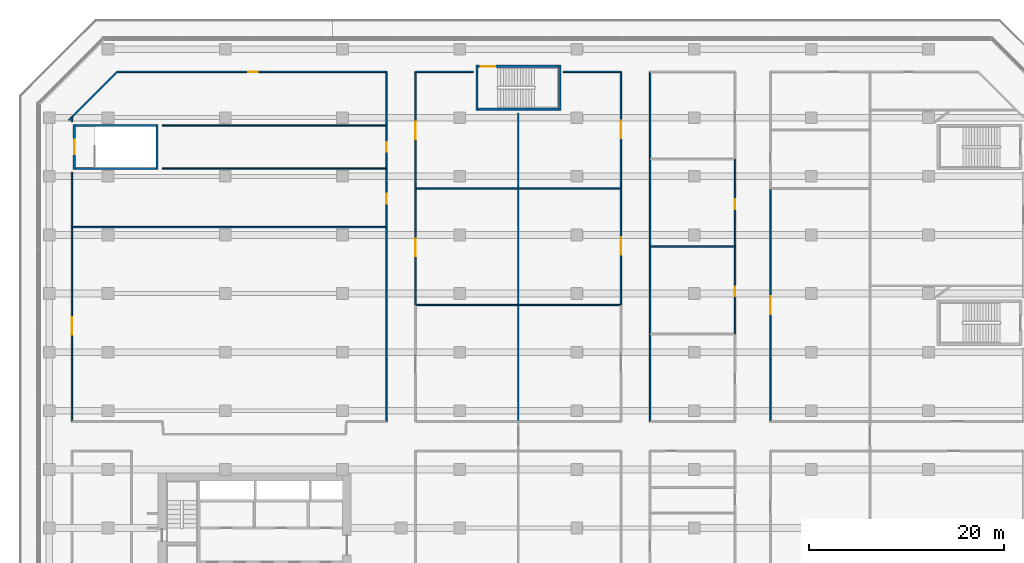
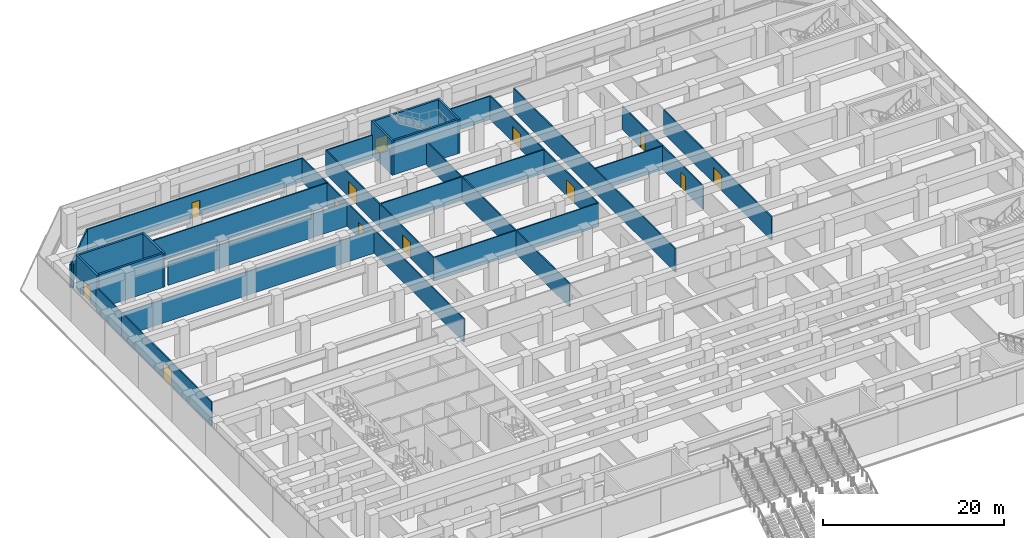
# One storey, part 31 of 40: 34 walls, 13 doors, 13 openings.
"""IFC4 building model written with IfcOpenShell, lengths in metres."""

from ifc_helpers import new_model, si_unit, direction, frame, frame_2d, origin, place, context, subcontext, project, spatial, rectangle, extrude, material, layer, layer_set, type_object, element, fill, save


model = new_model("IFC4")

# Units and contexts
model_context = context("Model", 3, precision=1e-05, world=origin(), true_north=direction((0.0, 1.0)))
body_context = subcontext(model_context, "Body", "Model", "MODEL_VIEW")
ifc_project = project(units=[si_unit("LENGTHUNIT", "METRE"), si_unit("AREAUNIT", "SQUARE_METRE"), si_unit("VOLUMEUNIT", "CUBIC_METRE"), si_unit("PLANEANGLEUNIT", "RADIAN"), si_unit("MASSUNIT", "GRAM", prefix="KILO")], contexts=[model_context])

# Site, building, storey
site_placement = place(None, origin())
site = spatial("IfcSite", under=ifc_project, at=site_placement, CompositionType="ELEMENT")
building_placement = place(site_placement, origin())
building = spatial("IfcBuilding", under=site, at=building_placement, Name="Welwitschia Terrace Campus", CompositionType="ELEMENT")
storey_placement = place(building_placement, frame((0.0, 0.0, 6.0)))
storey = spatial("IfcBuildingStorey", under=building, at=storey_placement, Name="L01", CompositionType="ELEMENT", Elevation=6.0)

# Wall, opening, door
ifc_material_1 = material(Name="Concrete C50/60", Category="concrete")
ifc_layer_1 = layer(ifc_material_1, 0.25)
ifc_layer_set_1 = layer_set([ifc_layer_1], Name="Concrete C50/60")
wall_type_1 = type_object("IfcWallType", Name="Core wall 250 Concrete C50/60", PredefinedType="SHEAR", material=ifc_layer_set_1)
wall_1_placement = place(storey_placement, frame((-3.425048828125, 56.675048828125, 0.0), z_axis=(0.0, 0.0, 1.0), x_axis=(0.0, 1.0, 0.0)))
wall_1 = element("IfcWall", 1, at=wall_1_placement, inside=storey, type_object=wall_type_1, Name="Core wall", PredefinedType="SHEAR", context=body_context, shape_type="SweptSolid", body=[
    extrude(rectangle(XDim=4.64990234375, YDim=0.25, at=frame_2d((2.324951171875, 0.0))), origin(), (0.0, 0.0, 1.0), 4.60009765625),
])
opening_1_placement = place(wall_1_placement, frame((1.574951171875, 0.0, 0.0)))
opening_1 = element("IfcOpeningElement", 2, at=opening_1_placement, cuts=wall_1, Name="Opening DS15", PredefinedType="OPENING", context=body_context, shape_type="SweptSolid", body=[
    extrude(rectangle(XDim=1.5, YDim=2.10009765625, at=frame_2d((0.75, 1.050048828125))), frame((0.0, 0.135009765625, 0.0), z_axis=(0.0, -1.0, 0.0), x_axis=(1.0, 0.0, 0.0)), (0.0, 0.0, 1.0), 0.27001953125),
])
ifc_material_2 = material(Name="Steel S275", Category="steel")
door_type_1 = type_object("IfcDoorType", Name="Core door DS15", OperationType="DOUBLE_DOOR_SINGLE_SWING", PredefinedType="DOOR", material=ifc_material_2)
door_1_placement = place(opening_1_placement, origin())
door_1 = element("IfcDoor", 3, at=door_1_placement, inside=storey, type_object=door_type_1, Name="Door P4", OperationType="DOUBLE_DOOR_SINGLE_SWING", OverallHeight=2.10009765625, OverallWidth=1.5, PredefinedType="DOOR", context=body_context, shape_type="SweptSolid", body=[
    extrude(rectangle(XDim=1.5, YDim=2.10009765625, at=frame_2d((0.75, 1.050048828125))), frame((0.0, 0.02490234375, 0.0), z_axis=(0.0, -1.0, 0.0), x_axis=(1.0, 0.0, 0.0)), (0.0, 0.0, 1.0), 0.050048828125),
])
fill(opening_1, door_1)

# Walls
wall_2_placement = place(storey_placement, frame((5.02490234375, 56.675048828125, 0.0), z_axis=(0.0, 0.0, 1.0), x_axis=(0.0, 1.0, 0.0)))
element("IfcWall", 4, at=wall_2_placement, inside=storey, type_object=wall_type_1, Name="Core wall", PredefinedType="SHEAR", context=body_context, shape_type="SweptSolid", body=[
    extrude(rectangle(XDim=4.64990234375, YDim=0.25, at=frame_2d((2.324951171875, 0.0))), origin(), (0.0, 0.0, 1.0), 4.60009765625),
])
for number, where, z_axis, x_axis, name in (
    (5, (-3.300048828125, 56.800048828125, 0.0), (0.0, 0.0, 1.0), (1.0, 0.0, 0.0), "Core wall"),
    (6, (-3.300048828125, 61.199951171875, 0.0), (0.0, 0.0, 1.0), (1.0, 0.0, 0.0), "Core wall"),
):
    element("IfcWall", number, at=place(storey_placement, frame(where, z_axis=z_axis, x_axis=x_axis)), inside=storey, type_object=wall_type_1, Name=name, PredefinedType="SHEAR", context=body_context, shape_type="SweptSolid", body=[
        extrude(rectangle(XDim=8.199951171875, YDim=0.25, at=frame_2d((4.10009765625, 0.0))), origin(), (0.0, 0.0, 1.0), 4.60009765625),
    ])
for number, where, z_axis, x_axis, name in (
    (7, (37.77490234375, 62.72509765625, 0.0), (0.0, 0.0, 1.0), (0.0, 1.0, 0.0), "Core wall"),
    (8, (46.22509765625, 62.72509765625, 0.0), (0.0, 0.0, 1.0), (0.0, 1.0, 0.0), "Core wall"),
):
    element("IfcWall", number, at=place(storey_placement, frame(where, z_axis=z_axis, x_axis=x_axis)), inside=storey, type_object=wall_type_1, Name=name, PredefinedType="SHEAR", context=body_context, shape_type="SweptSolid", body=[
        extrude(rectangle(XDim=4.64990234375, YDim=0.25, at=frame_2d((2.324951171875, 0.0))), origin(), (0.0, 0.0, 1.0), 4.60009765625),
    ])
wall_3_placement = place(storey_placement, frame((37.89990234375, 62.85009765625, 0.0), z_axis=(0.0, 0.0, 1.0), x_axis=(1.0, 0.0, 0.0)))
element("IfcWall", 9, at=wall_3_placement, inside=storey, type_object=wall_type_1, Name="Core wall", PredefinedType="SHEAR", context=body_context, shape_type="SweptSolid", body=[
    extrude(rectangle(XDim=8.2001953125, YDim=0.25, at=frame_2d((4.10009765625, 0.0))), origin(), (0.0, 0.0, 1.0), 4.60009765625),
])

# Wall, opening, door
wall_4_placement = place(storey_placement, frame((37.89990234375, 67.25, 0.0), z_axis=(0.0, 0.0, 1.0), x_axis=(1.0, 0.0, 0.0)))
wall_4 = element("IfcWall", 10, at=wall_4_placement, inside=storey, type_object=wall_type_1, Name="Core wall", PredefinedType="SHEAR", context=body_context, shape_type="SweptSolid", body=[
    extrude(rectangle(XDim=8.2001953125, YDim=0.25, at=frame_2d((4.10009765625, 0.0))), origin(), (0.0, 0.0, 1.0), 4.60009765625),
])
opening_2_placement = place(wall_4_placement, frame((0.25, 0.0, 0.0)))
opening_2 = element("IfcOpeningElement", 11, at=opening_2_placement, cuts=wall_4, Name="Opening DS15", PredefinedType="OPENING", context=body_context, shape_type="SweptSolid", body=[
    extrude(rectangle(XDim=1.5, YDim=2.10009765625, at=frame_2d((0.75, 1.050048828125))), frame((0.0, 0.135009765625, 0.0), z_axis=(0.0, -1.0, 0.0), x_axis=(1.0, 0.0, 0.0)), (0.0, 0.0, 1.0), 0.27001953125),
])
door_2_placement = place(opening_2_placement, origin())
door_2 = element("IfcDoor", 12, at=door_2_placement, inside=storey, type_object=door_type_1, Name="Door P7", OperationType="DOUBLE_DOOR_SINGLE_SWING", OverallHeight=2.10009765625, OverallWidth=1.5, PredefinedType="DOOR", context=body_context, shape_type="SweptSolid", body=[
    extrude(rectangle(XDim=1.5, YDim=2.10009765625, at=frame_2d((0.75, 1.050048828125))), frame((0.0, 0.02490234375, 0.0), z_axis=(0.0, -1.0, 0.0), x_axis=(1.0, 0.0, 0.0)), (0.0, 0.0, 1.0), 0.050048828125),
])
fill(opening_2, door_2)

# Wall
ifc_material_3 = material(Name="Gypsum board on steel studs", Category="steel")
ifc_layer_2 = layer(ifc_material_3, 0.14990234375)
ifc_layer_set_2 = layer_set([ifc_layer_2], Name="Gypsum board on steel studs")
wall_type_2 = type_object("IfcWallType", Name="Corridor partition 150 EI 30", PredefinedType="PARTITIONING", material=ifc_layer_set_2)
wall_5_placement = place(storey_placement, frame((-4.01318359375, 61.73681640625, 0.0), z_axis=(0.0, 0.0, 1.0), x_axis=(0.707106781187, 0.707106781187, 0.0)))
element("IfcWall", 13, at=wall_5_placement, inside=storey, type_object=wall_type_2, Name="Partition", PredefinedType="PARTITIONING", context=body_context, shape_type="SweptSolid", body=[
    extrude(rectangle(XDim=7.01904296875, YDim=0.14990234375, at=frame_2d((3.509521484375, 0.0))), origin(), (0.0, 0.0, 1.0), 3.179931640625),
])

# Wall, opening, door
wall_6_placement = place(storey_placement, frame((-3.699951171875, 30.89990234375, 0.0), z_axis=(0.0, 0.0, 1.0), x_axis=(0.0, 1.0, 0.0)))
wall_6 = element("IfcWall", 14, at=wall_6_placement, inside=storey, type_object=wall_type_2, Name="Partition", PredefinedType="PARTITIONING", context=body_context, shape_type="SweptSolid", body=[
    extrude(rectangle(XDim=19.900146484375, YDim=0.14990234375, at=frame_2d((9.9501953125, 0.0))), origin(), (0.0, 0.0, 1.0), 3.179931640625),
])
opening_3_placement = place(wall_6_placement, frame((8.89990234375, 0.0, 0.0)))
opening_3 = element("IfcOpeningElement", 15, at=opening_3_placement, cuts=wall_6, Name="Opening DI18", PredefinedType="OPENING", context=body_context, shape_type="SweptSolid", body=[
    extrude(rectangle(XDim=1.800048828125, YDim=2.10009765625, at=frame_2d((0.89990234375, 1.050048828125))), frame((0.0, 0.0849609375, 0.0), z_axis=(0.0, -1.0, 0.0), x_axis=(1.0, 0.0, 0.0)), (0.0, 0.0, 1.0), 0.169921875),
])
ifc_material_4 = material(Name="Timber veneered door", Category="wood")
door_type_2 = type_object("IfcDoorType", Name="Interior door DI18", OperationType="DOUBLE_DOOR_SINGLE_SWING", PredefinedType="DOOR", material=ifc_material_4)
door_3_placement = place(opening_3_placement, origin())
door_3 = element("IfcDoor", 16, at=door_3_placement, inside=storey, type_object=door_type_2, Name="Door L01 059", OperationType="SINGLE_SWING_LEFT", OverallHeight=2.10009765625, OverallWidth=1.800048828125, PredefinedType="DOOR", context=body_context, shape_type="SweptSolid", body=[
    extrude(rectangle(XDim=1.800048828125, YDim=2.10009765625, at=frame_2d((0.89990234375, 1.050048828125))), frame((0.0, 0.02490234375, 0.0), z_axis=(0.0, -1.0, 0.0), x_axis=(1.0, 0.0, 0.0)), (0.0, 0.0, 1.0), 0.050048828125),
])
fill(opening_3, door_3)

# Walls
wall_7_placement = place(storey_placement, frame((-3.699951171875, 50.800048828125, 0.0), z_axis=(0.0, 0.0, 1.0), x_axis=(0.0, 1.0, 0.0)))
element("IfcWall", 17, at=wall_7_placement, inside=storey, type_object=wall_type_2, Name="Partition", PredefinedType="PARTITIONING", context=body_context, shape_type="SweptSolid", body=[
    extrude(rectangle(XDim=5.6298828125, YDim=0.14990234375, at=frame_2d((2.81494140625, 0.0))), origin(), (0.0, 0.0, 1.0), 3.179931640625),
])
wall_8_placement = place(storey_placement, frame((-3.699951171875, 50.800048828125, 0.0), z_axis=(0.0, 0.0, 1.0), x_axis=(1.0, 0.0, 0.0)))
element("IfcWall", 18, at=wall_8_placement, inside=storey, type_object=wall_type_2, Name="Partition", PredefinedType="PARTITIONING", context=body_context, shape_type="SweptSolid", body=[
    extrude(rectangle(XDim=32.199951171875, YDim=0.14990234375, at=frame_2d((16.10009765625, 0.0))), origin(), (0.0, 0.0, 1.0), 3.179931640625),
])
wall_9_placement = place(storey_placement, frame((-3.699951171875, 61.580078125, 0.0), z_axis=(0.0, 0.0, 1.0), x_axis=(0.0, 1.0, 0.0)))
element("IfcWall", 19, at=wall_9_placement, inside=storey, type_object=wall_type_2, Name="Partition", PredefinedType="PARTITIONING", context=body_context, shape_type="SweptSolid", body=[
    extrude(rectangle(XDim=0.469970703125, YDim=0.14990234375, at=frame_2d((0.23486328125, 0.0))), origin(), (0.0, 0.0, 1.0), 3.179931640625),
])
for number, where, z_axis, x_axis, name in (
    (20, (5.580078125, 56.800048828125, 0.0), (0.0, 0.0, 1.0), (1.0, 0.0, 0.0), "Partition"),
    (21, (5.580078125, 61.199951171875, 0.0), (0.0, 0.0, 1.0), (1.0, 0.0, 0.0), "Partition"),
):
    element("IfcWall", number, at=place(storey_placement, frame(where, z_axis=z_axis, x_axis=x_axis)), inside=storey, type_object=wall_type_2, Name=name, PredefinedType="PARTITIONING", context=body_context, shape_type="SweptSolid", body=[
        extrude(rectangle(XDim=22.919921875, YDim=0.14990234375, at=frame_2d((11.4599609375, 0.0))), origin(), (0.0, 0.0, 1.0), 3.179931640625),
    ])
wall_10_placement = place(storey_placement, frame((28.5, 30.89990234375, 0.0), z_axis=(0.0, 0.0, 1.0), x_axis=(0.0, 1.0, 0.0)))
element("IfcWall", 22, at=wall_10_placement, inside=storey, type_object=wall_type_2, Name="Partition", PredefinedType="PARTITIONING", context=body_context, shape_type="SweptSolid", body=[
    extrude(rectangle(XDim=19.900146484375, YDim=0.14990234375, at=frame_2d((9.9501953125, 0.0))), origin(), (0.0, 0.0, 1.0), 3.179931640625),
])

# Wall, opening, door
wall_11_placement = place(storey_placement, frame((28.5, 50.800048828125, 0.0), z_axis=(0.0, 0.0, 1.0), x_axis=(0.0, 1.0, 0.0)))
wall_11 = element("IfcWall", 23, at=wall_11_placement, inside=storey, type_object=wall_type_2, Name="Partition", PredefinedType="PARTITIONING", context=body_context, shape_type="SweptSolid", body=[
    extrude(rectangle(XDim=6.0, YDim=0.14990234375, at=frame_2d((3.0, 0.0))), origin(), (0.0, 0.0, 1.0), 3.179931640625),
])
opening_4_placement = place(wall_11_placement, frame((2.39990234375, 0.0, 0.0)))
opening_4 = element("IfcOpeningElement", 24, at=opening_4_placement, cuts=wall_11, Name="Opening DI10", PredefinedType="OPENING", context=body_context, shape_type="SweptSolid", body=[
    extrude(rectangle(XDim=1.0, YDim=2.10009765625, at=frame_2d((0.5, 1.050048828125))), frame((0.0, 0.0849609375, 0.0), z_axis=(0.0, -1.0, 0.0), x_axis=(1.0, 0.0, 0.0)), (0.0, 0.0, 1.0), 0.169921875),
])
ifc_material_5 = material(Name="Timber veneered door", Category="wood")
door_type_3 = type_object("IfcDoorType", Name="Interior door DI10", OperationType="NOTDEFINED", PredefinedType="DOOR", material=ifc_material_5)
door_4_placement = place(opening_4_placement, origin())
door_4 = element("IfcDoor", 25, at=door_4_placement, inside=storey, type_object=door_type_3, Name="Door L01 062", OperationType="SINGLE_SWING_LEFT", OverallHeight=2.10009765625, OverallWidth=1.0, PredefinedType="DOOR", context=body_context, shape_type="SweptSolid", body=[
    extrude(rectangle(XDim=1.0, YDim=2.10009765625, at=frame_2d((0.5, 1.050048828125))), frame((0.0, 0.02490234375, 0.0), z_axis=(0.0, -1.0, 0.0), x_axis=(1.0, 0.0, 0.0)), (0.0, 0.0, 1.0), 0.050048828125),
])
fill(opening_4, door_4)

wall_12_placement = place(storey_placement, frame((28.5, 56.800048828125, 0.0), z_axis=(0.0, 0.0, 1.0), x_axis=(0.0, 1.0, 0.0)))
wall_12 = element("IfcWall", 26, at=wall_12_placement, inside=storey, type_object=wall_type_2, Name="Partition", PredefinedType="PARTITIONING", context=body_context, shape_type="SweptSolid", body=[
    extrude(rectangle(XDim=4.39990234375, YDim=0.14990234375, at=frame_2d((2.199951171875, 0.0))), origin(), (0.0, 0.0, 1.0), 3.179931640625),
])
opening_5_placement = place(wall_12_placement, frame((1.699951171875, 0.0, 0.0)))
opening_5 = element("IfcOpeningElement", 27, at=opening_5_placement, cuts=wall_12, Name="Opening DI10", PredefinedType="OPENING", context=body_context, shape_type="SweptSolid", body=[
    extrude(rectangle(XDim=1.0, YDim=2.10009765625, at=frame_2d((0.5, 1.050048828125))), frame((0.0, 0.0849609375, 0.0), z_axis=(0.0, -1.0, 0.0), x_axis=(1.0, 0.0, 0.0)), (0.0, 0.0, 1.0), 0.169921875),
])
door_5_placement = place(opening_5_placement, origin())
door_5 = element("IfcDoor", 28, at=door_5_placement, inside=storey, type_object=door_type_3, Name="Door L01 063", OperationType="SINGLE_SWING_RIGHT", OverallHeight=2.10009765625, OverallWidth=1.0, PredefinedType="DOOR", context=body_context, shape_type="SweptSolid", body=[
    extrude(rectangle(XDim=1.0, YDim=2.10009765625, at=frame_2d((0.5, 1.050048828125))), frame((0.0, 0.02490234375, 0.0), z_axis=(0.0, -1.0, 0.0), x_axis=(1.0, 0.0, 0.0)), (0.0, 0.0, 1.0), 0.050048828125),
])
fill(opening_5, door_5)

# Wall
wall_13_placement = place(storey_placement, frame((28.5, 61.199951171875, 0.0), z_axis=(0.0, 0.0, 1.0), x_axis=(0.0, 1.0, 0.0)))
element("IfcWall", 29, at=wall_13_placement, inside=storey, type_object=wall_type_2, Name="Partition", PredefinedType="PARTITIONING", context=body_context, shape_type="SweptSolid", body=[
    extrude(rectangle(XDim=5.5, YDim=0.14990234375, at=frame_2d((2.75, 0.0))), origin(), (0.0, 0.0, 1.0), 3.179931640625),
])

# Wall, opening, door
wall_14_placement = place(storey_placement, frame((28.5, 66.699951171875, 0.0), z_axis=(0.0, 0.0, 1.0), x_axis=(-1.0, 0.0, 0.0)))
wall_14 = element("IfcWall", 30, at=wall_14_placement, inside=storey, type_object=wall_type_2, Name="Partition", PredefinedType="PARTITIONING", context=body_context, shape_type="SweptSolid", body=[
    extrude(rectangle(XDim=27.550048828125, YDim=0.14990234375, at=frame_2d((13.77490234375, 0.0))), origin(), (0.0, 0.0, 1.0), 3.179931640625),
])
opening_6_placement = place(wall_14_placement, frame((13.14990234375, 0.0, 0.0)))
opening_6 = element("IfcOpeningElement", 31, at=opening_6_placement, cuts=wall_14, Name="Opening DI10", PredefinedType="OPENING", context=body_context, shape_type="SweptSolid", body=[
    extrude(rectangle(XDim=1.0, YDim=2.10009765625, at=frame_2d((0.5, 1.050048828125))), frame((0.0, 0.0849609375, 0.0), z_axis=(0.0, -1.0, 0.0), x_axis=(1.0, 0.0, 0.0)), (0.0, 0.0, 1.0), 0.169921875),
])
door_6_placement = place(opening_6_placement, origin())
door_6 = element("IfcDoor", 32, at=door_6_placement, inside=storey, type_object=door_type_3, Name="Door L01 064", OperationType="SINGLE_SWING_LEFT", OverallHeight=2.10009765625, OverallWidth=1.0, PredefinedType="DOOR", context=body_context, shape_type="SweptSolid", body=[
    extrude(rectangle(XDim=1.0, YDim=2.10009765625, at=frame_2d((0.5, 1.050048828125))), frame((0.0, 0.02490234375, 0.0), z_axis=(0.0, -1.0, 0.0), x_axis=(1.0, 0.0, 0.0)), (0.0, 0.0, 1.0), 0.050048828125),
])
fill(opening_6, door_6)

wall_15_placement = place(storey_placement, frame((31.5, 42.830078125, 0.0), z_axis=(0.0, 0.0, 1.0), x_axis=(0.0, 1.0, 0.0)))
wall_15 = element("IfcWall", 33, at=wall_15_placement, inside=storey, type_object=wall_type_2, Name="Partition", PredefinedType="PARTITIONING", context=body_context, shape_type="SweptSolid", body=[
    extrude(rectangle(XDim=11.93994140625, YDim=0.14990234375, at=frame_2d((5.969970703125, 0.0))), origin(), (0.0, 0.0, 1.0), 3.179931640625),
])
opening_7_placement = place(wall_15_placement, frame((5.0, 0.0, 0.0)))
opening_7 = element("IfcOpeningElement", 34, at=opening_7_placement, cuts=wall_15, Name="Opening DI18", PredefinedType="OPENING", context=body_context, shape_type="SweptSolid", body=[
    extrude(rectangle(XDim=1.800048828125, YDim=2.10009765625, at=frame_2d((0.89990234375, 1.050048828125))), frame((0.0, 0.0849609375, 0.0), z_axis=(0.0, -1.0, 0.0), x_axis=(1.0, 0.0, 0.0)), (0.0, 0.0, 1.0), 0.169921875),
])
door_7_placement = place(opening_7_placement, origin())
door_7 = element("IfcDoor", 35, at=door_7_placement, inside=storey, type_object=door_type_2, Name="Door L01 067", OperationType="SINGLE_SWING_LEFT", OverallHeight=2.10009765625, OverallWidth=1.800048828125, PredefinedType="DOOR", context=body_context, shape_type="SweptSolid", body=[
    extrude(rectangle(XDim=1.800048828125, YDim=2.10009765625, at=frame_2d((0.89990234375, 1.050048828125))), frame((0.0, 0.02490234375, 0.0), z_axis=(0.0, -1.0, 0.0), x_axis=(1.0, 0.0, 0.0)), (0.0, 0.0, 1.0), 0.050048828125),
])
fill(opening_7, door_7)

# Wall
wall_16_placement = place(storey_placement, frame((31.5, 42.830078125, 0.0), z_axis=(0.0, 0.0, 1.0), x_axis=(1.0, 0.0, 0.0)))
element("IfcWall", 36, at=wall_16_placement, inside=storey, type_object=wall_type_2, Name="Partition", PredefinedType="PARTITIONING", context=body_context, shape_type="SweptSolid", body=[
    extrude(rectangle(XDim=21.0, YDim=0.14990234375, at=frame_2d((10.5, 0.0))), origin(), (0.0, 0.0, 1.0), 3.179931640625),
])

# Wall, opening, door
wall_17_placement = place(storey_placement, frame((31.5, 54.77001953125, 0.0), z_axis=(0.0, 0.0, 1.0), x_axis=(0.0, 1.0, 0.0)))
wall_17 = element("IfcWall", 37, at=wall_17_placement, inside=storey, type_object=wall_type_2, Name="Partition", PredefinedType="PARTITIONING", context=body_context, shape_type="SweptSolid", body=[
    extrude(rectangle(XDim=11.929931640625, YDim=0.14990234375, at=frame_2d((5.96484375, 0.0))), origin(), (0.0, 0.0, 1.0), 3.179931640625),
])
opening_8_placement = place(wall_17_placement, frame((5.0, 0.0, 0.0)))
opening_8 = element("IfcOpeningElement", 38, at=opening_8_placement, cuts=wall_17, Name="Opening DI18", PredefinedType="OPENING", context=body_context, shape_type="SweptSolid", body=[
    extrude(rectangle(XDim=1.800048828125, YDim=2.10009765625, at=frame_2d((0.89990234375, 1.050048828125))), frame((0.0, 0.0849609375, 0.0), z_axis=(0.0, -1.0, 0.0), x_axis=(1.0, 0.0, 0.0)), (0.0, 0.0, 1.0), 0.169921875),
])
door_8_placement = place(opening_8_placement, origin())
door_8 = element("IfcDoor", 39, at=door_8_placement, inside=storey, type_object=door_type_2, Name="Door L01 068", OperationType="SINGLE_SWING_LEFT", OverallHeight=2.10009765625, OverallWidth=1.800048828125, PredefinedType="DOOR", context=body_context, shape_type="SweptSolid", body=[
    extrude(rectangle(XDim=1.800048828125, YDim=2.10009765625, at=frame_2d((0.89990234375, 1.050048828125))), frame((0.0, 0.02490234375, 0.0), z_axis=(0.0, -1.0, 0.0), x_axis=(1.0, 0.0, 0.0)), (0.0, 0.0, 1.0), 0.050048828125),
])
fill(opening_8, door_8)

# Walls
wall_18_placement = place(storey_placement, frame((31.5, 54.77001953125, 0.0), z_axis=(0.0, 0.0, 1.0), x_axis=(1.0, 0.0, 0.0)))
element("IfcWall", 40, at=wall_18_placement, inside=storey, type_object=wall_type_2, Name="Partition", PredefinedType="PARTITIONING", context=body_context, shape_type="SweptSolid", body=[
    extrude(rectangle(XDim=21.0, YDim=0.14990234375, at=frame_2d((10.5, 0.0))), origin(), (0.0, 0.0, 1.0), 3.179931640625),
])
wall_19_placement = place(storey_placement, frame((31.5, 66.699951171875, 0.0), z_axis=(0.0, 0.0, 1.0), x_axis=(1.0, 0.0, 0.0)))
element("IfcWall", 41, at=wall_19_placement, inside=storey, type_object=wall_type_2, Name="Partition", PredefinedType="PARTITIONING", context=body_context, shape_type="SweptSolid", body=[
    extrude(rectangle(XDim=5.89990234375, YDim=0.14990234375, at=frame_2d((2.949951171875, 0.0))), origin(), (0.0, 0.0, 1.0), 3.179931640625),
])
wall_20_placement = place(storey_placement, frame((42.0, 30.89990234375, 0.0), z_axis=(0.0, 0.0, 1.0), x_axis=(0.0, 1.0, 0.0)))
element("IfcWall", 42, at=wall_20_placement, inside=storey, type_object=wall_type_2, Name="Partition", PredefinedType="PARTITIONING", context=body_context, shape_type="SweptSolid", body=[
    extrude(rectangle(XDim=31.580078125, YDim=0.14990234375, at=frame_2d((15.7900390625, 0.0))), origin(), (0.0, 0.0, 1.0), 3.179931640625),
])
wall_21_placement = place(storey_placement, frame((46.60009765625, 66.699951171875, 0.0), z_axis=(0.0, 0.0, 1.0), x_axis=(1.0, 0.0, 0.0)))
element("IfcWall", 43, at=wall_21_placement, inside=storey, type_object=wall_type_2, Name="Partition", PredefinedType="PARTITIONING", context=body_context, shape_type="SweptSolid", body=[
    extrude(rectangle(XDim=5.89990234375, YDim=0.14990234375, at=frame_2d((2.949951171875, 0.0))), origin(), (0.0, 0.0, 1.0), 3.179931640625),
])

# Wall, opening, door
wall_22_placement = place(storey_placement, frame((52.5, 54.77001953125, 0.0), z_axis=(0.0, 0.0, 1.0), x_axis=(0.0, -1.0, 0.0)))
wall_22 = element("IfcWall", 44, at=wall_22_placement, inside=storey, type_object=wall_type_2, Name="Partition", PredefinedType="PARTITIONING", context=body_context, shape_type="SweptSolid", body=[
    extrude(rectangle(XDim=11.93994140625, YDim=0.14990234375, at=frame_2d((5.969970703125, 0.0))), origin(), (0.0, 0.0, 1.0), 3.179931640625),
])
opening_9_placement = place(wall_22_placement, frame((5.0, 0.0, 0.0)))
opening_9 = element("IfcOpeningElement", 45, at=opening_9_placement, cuts=wall_22, Name="Opening DI18", PredefinedType="OPENING", context=body_context, shape_type="SweptSolid", body=[
    extrude(rectangle(XDim=1.800048828125, YDim=2.10009765625, at=frame_2d((0.89990234375, 1.050048828125))), frame((0.0, 0.0849609375, 0.0), z_axis=(0.0, -1.0, 0.0), x_axis=(1.0, 0.0, 0.0)), (0.0, 0.0, 1.0), 0.169921875),
])
door_9_placement = place(opening_9_placement, origin())
door_9 = element("IfcDoor", 46, at=door_9_placement, inside=storey, type_object=door_type_2, Name="Door L01 073", OperationType="SINGLE_SWING_LEFT", OverallHeight=2.10009765625, OverallWidth=1.800048828125, PredefinedType="DOOR", context=body_context, shape_type="SweptSolid", body=[
    extrude(rectangle(XDim=1.800048828125, YDim=2.10009765625, at=frame_2d((0.89990234375, 1.050048828125))), frame((0.0, 0.02490234375, 0.0), z_axis=(0.0, -1.0, 0.0), x_axis=(1.0, 0.0, 0.0)), (0.0, 0.0, 1.0), 0.050048828125),
])
fill(opening_9, door_9)

wall_23_placement = place(storey_placement, frame((52.5, 66.699951171875, 0.0), z_axis=(0.0, 0.0, 1.0), x_axis=(0.0, -1.0, 0.0)))
wall_23 = element("IfcWall", 47, at=wall_23_placement, inside=storey, type_object=wall_type_2, Name="Partition", PredefinedType="PARTITIONING", context=body_context, shape_type="SweptSolid", body=[
    extrude(rectangle(XDim=11.929931640625, YDim=0.14990234375, at=frame_2d((5.96484375, 0.0))), origin(), (0.0, 0.0, 1.0), 3.179931640625),
])
opening_10_placement = place(wall_23_placement, frame((5.0, 0.0, 0.0)))
opening_10 = element("IfcOpeningElement", 48, at=opening_10_placement, cuts=wall_23, Name="Opening DI18", PredefinedType="OPENING", context=body_context, shape_type="SweptSolid", body=[
    extrude(rectangle(XDim=1.800048828125, YDim=2.10009765625, at=frame_2d((0.89990234375, 1.050048828125))), frame((0.0, 0.0849609375, 0.0), z_axis=(0.0, -1.0, 0.0), x_axis=(1.0, 0.0, 0.0)), (0.0, 0.0, 1.0), 0.169921875),
])
door_10_placement = place(opening_10_placement, origin())
door_10 = element("IfcDoor", 49, at=door_10_placement, inside=storey, type_object=door_type_2, Name="Door L01 074", OperationType="SINGLE_SWING_LEFT", OverallHeight=2.10009765625, OverallWidth=1.800048828125, PredefinedType="DOOR", context=body_context, shape_type="SweptSolid", body=[
    extrude(rectangle(XDim=1.800048828125, YDim=2.10009765625, at=frame_2d((0.89990234375, 1.050048828125))), frame((0.0, 0.02490234375, 0.0), z_axis=(0.0, -1.0, 0.0), x_axis=(1.0, 0.0, 0.0)), (0.0, 0.0, 1.0), 0.050048828125),
])
fill(opening_10, door_10)

# Walls
wall_24_placement = place(storey_placement, frame((55.5, 30.89990234375, 0.0), z_axis=(0.0, 0.0, 1.0), x_axis=(0.0, 1.0, 0.0)))
element("IfcWall", 50, at=wall_24_placement, inside=storey, type_object=wall_type_2, Name="Partition", PredefinedType="PARTITIONING", context=body_context, shape_type="SweptSolid", body=[
    extrude(rectangle(XDim=35.800048828125, YDim=0.14990234375, at=frame_2d((17.89990234375, 0.0))), origin(), (0.0, 0.0, 1.0), 3.179931640625),
])
wall_25_placement = place(storey_placement, frame((55.5, 48.800048828125, 0.0), z_axis=(0.0, 0.0, 1.0), x_axis=(1.0, 0.0, 0.0)))
element("IfcWall", 51, at=wall_25_placement, inside=storey, type_object=wall_type_2, Name="Partition", PredefinedType="PARTITIONING", context=body_context, shape_type="SweptSolid", body=[
    extrude(rectangle(XDim=8.699951171875, YDim=0.14990234375, at=frame_2d((4.35009765625, 0.0))), origin(), (0.0, 0.0, 1.0), 3.179931640625),
])

# Wall, opening, door
wall_26_placement = place(storey_placement, frame((64.199951171875, 39.85009765625, 0.0), z_axis=(0.0, 0.0, 1.0), x_axis=(0.0, 1.0, 0.0)))
wall_26 = element("IfcWall", 52, at=wall_26_placement, inside=storey, type_object=wall_type_2, Name="Partition", PredefinedType="PARTITIONING", context=body_context, shape_type="SweptSolid", body=[
    extrude(rectangle(XDim=8.949951171875, YDim=0.14990234375, at=frame_2d((4.47509765625, 0.0))), origin(), (0.0, 0.0, 1.0), 3.179931640625),
])
opening_11_placement = place(wall_26_placement, frame((3.85009765625, 0.0, 0.0)))
opening_11 = element("IfcOpeningElement", 53, at=opening_11_placement, cuts=wall_26, Name="Opening DI10", PredefinedType="OPENING", context=body_context, shape_type="SweptSolid", body=[
    extrude(rectangle(XDim=1.0, YDim=2.10009765625, at=frame_2d((0.5, 1.050048828125))), frame((0.0, 0.0849609375, 0.0), z_axis=(0.0, -1.0, 0.0), x_axis=(1.0, 0.0, 0.0)), (0.0, 0.0, 1.0), 0.169921875),
])
door_11_placement = place(opening_11_placement, origin())
door_11 = element("IfcDoor", 54, at=door_11_placement, inside=storey, type_object=door_type_3, Name="Door L01 081", OperationType="SINGLE_SWING_RIGHT", OverallHeight=2.10009765625, OverallWidth=1.0, PredefinedType="DOOR", context=body_context, shape_type="SweptSolid", body=[
    extrude(rectangle(XDim=1.0, YDim=2.10009765625, at=frame_2d((0.5, 1.050048828125))), frame((0.0, 0.02490234375, 0.0), z_axis=(0.0, -1.0, 0.0), x_axis=(1.0, 0.0, 0.0)), (0.0, 0.0, 1.0), 0.050048828125),
])
fill(opening_11, door_11)

wall_27_placement = place(storey_placement, frame((64.199951171875, 48.800048828125, 0.0), z_axis=(0.0, 0.0, 1.0), x_axis=(0.0, 1.0, 0.0)))
wall_27 = element("IfcWall", 55, at=wall_27_placement, inside=storey, type_object=wall_type_2, Name="Partition", PredefinedType="PARTITIONING", context=body_context, shape_type="SweptSolid", body=[
    extrude(rectangle(XDim=8.949951171875, YDim=0.14990234375, at=frame_2d((4.47509765625, 0.0))), origin(), (0.0, 0.0, 1.0), 3.179931640625),
])
opening_12_placement = place(wall_27_placement, frame((3.85009765625, 0.0, 0.0)))
opening_12 = element("IfcOpeningElement", 56, at=opening_12_placement, cuts=wall_27, Name="Opening DI10", PredefinedType="OPENING", context=body_context, shape_type="SweptSolid", body=[
    extrude(rectangle(XDim=1.0, YDim=2.10009765625, at=frame_2d((0.5, 1.050048828125))), frame((0.0, 0.0849609375, 0.0), z_axis=(0.0, -1.0, 0.0), x_axis=(1.0, 0.0, 0.0)), (0.0, 0.0, 1.0), 0.169921875),
])
door_12_placement = place(opening_12_placement, origin())
door_12 = element("IfcDoor", 57, at=door_12_placement, inside=storey, type_object=door_type_3, Name="Door L01 082", OperationType="SINGLE_SWING_LEFT", OverallHeight=2.10009765625, OverallWidth=1.0, PredefinedType="DOOR", context=body_context, shape_type="SweptSolid", body=[
    extrude(rectangle(XDim=1.0, YDim=2.10009765625, at=frame_2d((0.5, 1.050048828125))), frame((0.0, 0.02490234375, 0.0), z_axis=(0.0, -1.0, 0.0), x_axis=(1.0, 0.0, 0.0)), (0.0, 0.0, 1.0), 0.050048828125),
])
fill(opening_12, door_12)

wall_28_placement = place(storey_placement, frame((67.800048828125, 30.89990234375, 0.0), z_axis=(0.0, 0.0, 1.0), x_axis=(0.0, 1.0, 0.0)))
wall_28 = element("IfcWall", 58, at=wall_28_placement, inside=storey, type_object=wall_type_2, Name="Partition", PredefinedType="PARTITIONING", context=body_context, shape_type="SweptSolid", body=[
    extrude(rectangle(XDim=23.8701171875, YDim=0.14990234375, at=frame_2d((11.93505859375, 0.0))), origin(), (0.0, 0.0, 1.0), 3.179931640625),
])
opening_13_placement = place(wall_28_placement, frame((11.0, 0.0, 0.0)))
opening_13 = element("IfcOpeningElement", 59, at=opening_13_placement, cuts=wall_28, Name="Opening DI18", PredefinedType="OPENING", context=body_context, shape_type="SweptSolid", body=[
    extrude(rectangle(XDim=1.800048828125, YDim=2.10009765625, at=frame_2d((0.89990234375, 1.050048828125))), frame((0.0, 0.0849609375, 0.0), z_axis=(0.0, -1.0, 0.0), x_axis=(1.0, 0.0, 0.0)), (0.0, 0.0, 1.0), 0.169921875),
])
door_13_placement = place(opening_13_placement, origin())
door_13 = element("IfcDoor", 60, at=door_13_placement, inside=storey, type_object=door_type_2, Name="Door L01 086", OperationType="SINGLE_SWING_LEFT", OverallHeight=2.10009765625, OverallWidth=1.800048828125, PredefinedType="DOOR", context=body_context, shape_type="SweptSolid", body=[
    extrude(rectangle(XDim=1.800048828125, YDim=2.10009765625, at=frame_2d((0.89990234375, 1.050048828125))), frame((0.0, 0.02490234375, 0.0), z_axis=(0.0, -1.0, 0.0), x_axis=(1.0, 0.0, 0.0)), (0.0, 0.0, 1.0), 0.050048828125),
])
fill(opening_13, door_13)

save(model, "model.ifc")
